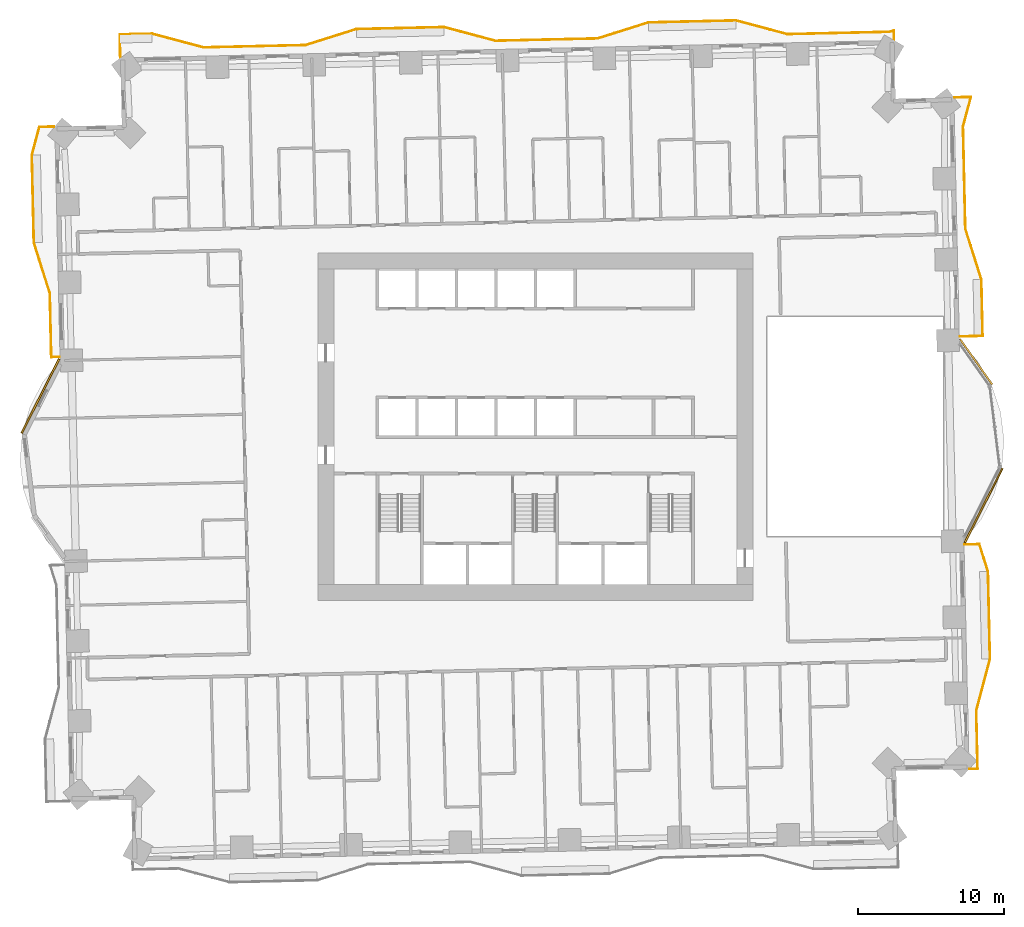
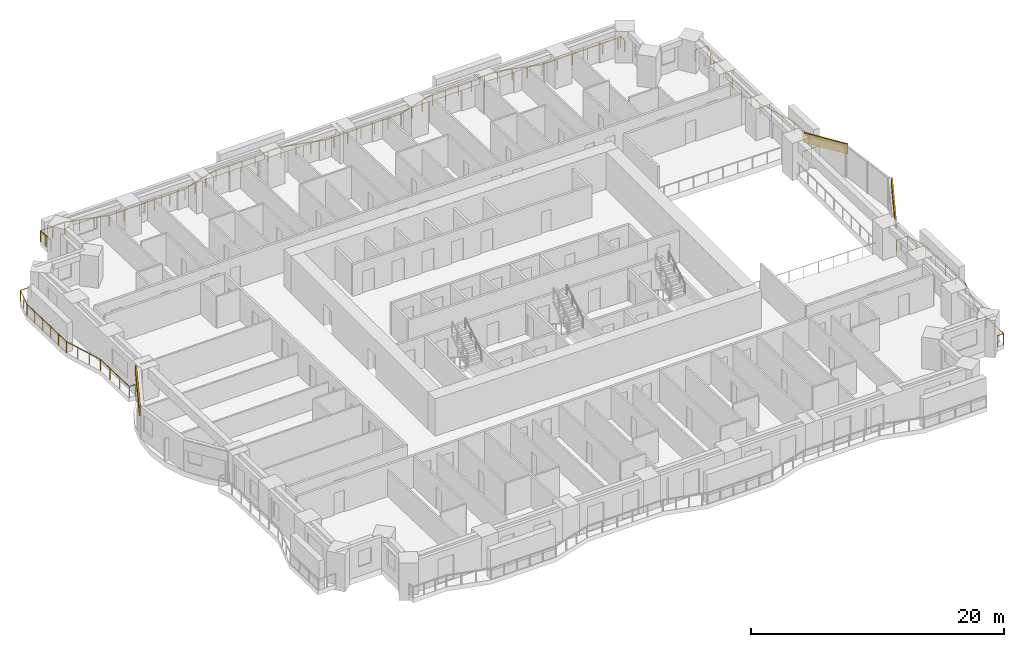
# One storey, part 16 of 16: 4 railings, 3 coverings.
"""IFC4 building model written with IfcOpenShell, lengths in metres."""

from ifc_helpers import new_model, si_unit, direction, frame, frame_2d, origin, origin_2d, place, context, subcontext, project, spatial, rectangle, extrude, material, layer, layer_set, type_object, element, save


model = new_model("IFC4")

# Units and contexts
model_context = context("Model", 3, precision=1e-05, world=origin(), true_north=direction((0.0, 1.0)))
body_context = subcontext(model_context, "Body", "Model", "MODEL_VIEW")
ifc_project = project(units=[si_unit("LENGTHUNIT", "METRE"), si_unit("AREAUNIT", "SQUARE_METRE"), si_unit("VOLUMEUNIT", "CUBIC_METRE"), si_unit("PLANEANGLEUNIT", "RADIAN"), si_unit("MASSUNIT", "GRAM", prefix="KILO")], contexts=[model_context])

# Site, building, storey
site_placement = place(None, origin())
site = spatial("IfcSite", under=ifc_project, at=site_placement, CompositionType="ELEMENT")
building_placement = place(site_placement, origin())
building = spatial("IfcBuilding", under=site, at=building_placement, Name="Mangrove Gate Tower", CompositionType="ELEMENT")
storey_placement = place(building_placement, frame((0.0, 0.0, 34.10009765625)))
storey = spatial("IfcBuildingStorey", under=building, at=storey_placement, Name="L07", CompositionType="ELEMENT", Elevation=34.10009765625)

# Railings
ifc_material_1 = material(Name="Stainless steel grade 316 with laminated glass infill", Category="steel")
railing_type = type_object("IfcRailingType", Name="Balcony guard 1100", PredefinedType="GUARDRAIL", material=ifc_material_1)
railing_1_placement = place(storey_placement, frame((29.742919921875, -23.444091796875, 0.0)))
element("IfcRailing", 1, at=railing_1_placement, inside=storey, type_object=railing_type, Name="GUARD L07 E1", PredefinedType="GUARDRAIL", context=body_context, shape_type="SweptSolid", body=[
    extrude(rectangle(XDim=0.048095703125, YDim=0.048095703125, at=origin_2d()), frame((0.0, 0.0, 1.076171875), z_axis=(0.999750301831, 0.022345782339, 0.0), x_axis=(-0.022345782339, 0.999750301831, 0.0)), (0.0, 0.0, 1.0), 0.54638671875),
    extrude(rectangle(XDim=0.048095703125, YDim=0.048095703125, at=origin_2d()), frame((0.546142578125, 0.01220703125, 1.076171875), z_axis=(-0.022523132843, 0.999746322067, 0.0), x_axis=(-0.999746322067, -0.022523132843, 0.0)), (0.0, 0.0, 1.0), 3.999755859375),
    extrude(rectangle(XDim=0.048095703125, YDim=0.048095703125, at=origin_2d()), frame((0.4560546875, 4.010986328125, 1.076171875), z_axis=(0.257087259162, 0.966388193831, 0.0), x_axis=(-0.966388193831, 0.257087259162, 0.0)), (0.0, 0.0, 1.0), 3.644775390625),
    extrude(rectangle(XDim=0.048095703125, YDim=0.048095703125, at=origin_2d()), frame((1.39306640625, 7.533203125, 1.076171875), z_axis=(-0.022666865795, 0.999743073592, 0.0), x_axis=(-0.999743073592, -0.022666865795, 0.0)), (0.0, 0.0, 1.0), 5.999267578125),
    extrude(rectangle(XDim=0.048095703125, YDim=0.048095703125, at=origin_2d()), frame((1.257080078125, 13.531005859375, 1.076171875), z_axis=(-0.300616640748, 0.953745057814, 0.0), x_axis=(-0.953745057814, -0.300616640748, 0.0)), (0.0, 0.0, 1.0), 1.952392578125),
    extrude(rectangle(XDim=0.048095703125, YDim=0.048095703125, at=origin_2d()), frame((0.670166015625, 15.39306640625, 1.076171875), z_axis=(-0.999746513015, -0.02251465554, 0.0), x_axis=(0.02251465554, -0.999746513015, 0.0)), (0.0, 0.0, 1.0), 1.019287109375),
    extrude(rectangle(XDim=0.0419921875, YDim=0.0419921875, at=origin_2d()), origin(), (0.0, 0.0, 1.0), 1.052001953125),
    extrude(rectangle(XDim=0.0419921875, YDim=0.0419921875, at=origin_2d()), frame((0.546142578125, 0.01220703125, 0.0)), (0.0, 0.0, 1.0), 1.052001953125),
    extrude(rectangle(XDim=0.0419921875, YDim=0.0419921875, at=origin_2d()), frame((0.51611328125, 1.34521484375, 0.0)), (0.0, 0.0, 1.0), 1.052001953125),
    extrude(rectangle(XDim=0.0419921875, YDim=0.0419921875, at=origin_2d()), frame((0.486083984375, 2.677978515625, 0.0)), (0.0, 0.0, 1.0), 1.052001953125),
    extrude(rectangle(XDim=0.0419921875, YDim=0.0419921875, at=origin_2d()), frame((0.4560546875, 4.010986328125, 0.0)), (0.0, 0.0, 1.0), 1.052001953125),
    extrude(rectangle(XDim=0.0419921875, YDim=0.0419921875, at=origin_2d()), frame((0.768310546875, 5.18505859375, 0.0)), (0.0, 0.0, 1.0), 1.052001953125),
    extrude(rectangle(XDim=0.0419921875, YDim=0.0419921875, at=origin_2d()), frame((1.080810546875, 6.359130859375, 0.0)), (0.0, 0.0, 1.0), 1.052001953125),
    extrude(rectangle(XDim=0.0419921875, YDim=0.0419921875, at=origin_2d()), frame((1.39306640625, 7.533203125, 0.0)), (0.0, 0.0, 1.0), 1.052001953125),
    extrude(rectangle(XDim=0.0419921875, YDim=0.0419921875, at=origin_2d()), frame((1.359130859375, 9.03271484375, 0.0)), (0.0, 0.0, 1.0), 1.052001953125),
    extrude(rectangle(XDim=0.0419921875, YDim=0.0419921875, at=origin_2d()), frame((1.3251953125, 10.5322265625, 0.0)), (0.0, 0.0, 1.0), 1.052001953125),
    extrude(rectangle(XDim=0.0419921875, YDim=0.0419921875, at=origin_2d()), frame((1.291015625, 12.031494140625, 0.0)), (0.0, 0.0, 1.0), 1.052001953125),
    extrude(rectangle(XDim=0.0419921875, YDim=0.0419921875, at=origin_2d()), frame((1.257080078125, 13.531005859375, 0.0)), (0.0, 0.0, 1.0), 1.052001953125),
    extrude(rectangle(XDim=0.0419921875, YDim=0.0419921875, at=origin_2d()), frame((0.963623046875, 14.4619140625, 0.0)), (0.0, 0.0, 1.0), 1.052001953125),
    extrude(rectangle(XDim=0.0419921875, YDim=0.0419921875, at=origin_2d()), frame((0.670166015625, 15.39306640625, 0.0)), (0.0, 0.0, 1.0), 1.052001953125),
    extrude(rectangle(XDim=0.0419921875, YDim=0.0419921875, at=origin_2d()), frame((-0.348876953125, 15.3701171875, 0.0)), (0.0, 0.0, 1.0), 1.052001953125),
])
railing_2_placement = place(storey_placement, frame((29.070068359375, 6.173095703125, 0.0)))
element("IfcRailing", 2, at=railing_2_placement, inside=storey, type_object=railing_type, Name="GUARD L07 E2", PredefinedType="GUARDRAIL", context=body_context, shape_type="SweptSolid", body=[
    extrude(rectangle(XDim=0.048095703125, YDim=0.048095703125, at=origin_2d()), frame((0.0, 0.0, 1.076171875), z_axis=(0.999736816093, 0.022941197622, 0.0), x_axis=(-0.022941197622, 0.999736816093, 0.0)), (0.0, 0.0, 1.0), 1.564453125),
    extrude(rectangle(XDim=0.048095703125, YDim=0.048095703125, at=origin_2d()), frame((1.56396484375, 0.035888671875, 1.076171875), z_axis=(-0.022435098042, 0.999748301512, 0.0), x_axis=(-0.999748301512, -0.022435098042, 0.0)), (0.0, 0.0, 1.0), 3.8740234375),
    extrude(rectangle(XDim=0.048095703125, YDim=0.048095703125, at=origin_2d()), frame((1.47705078125, 3.908935546875, 1.076171875), z_axis=(-0.300996735167, 0.953625170294, 0.0), x_axis=(-0.953625170294, -0.300996735167, 0.0)), (0.0, 0.0, 1.0), 3.64501953125),
    extrude(rectangle(XDim=0.048095703125, YDim=0.048095703125, at=origin_2d()), frame((0.3798828125, 7.385009765625, 1.076171875), z_axis=(-0.022706351659, 0.999742177561, 0.0), x_axis=(-0.999742177561, -0.022706351659, 0.0)), (0.0, 0.0, 1.0), 6.99951171875),
    extrude(rectangle(XDim=0.048095703125, YDim=0.048095703125, at=origin_2d()), frame((0.220947265625, 14.3828125, 1.076171875), z_axis=(0.2572322796, 0.966349602541, 0.0), x_axis=(-0.966349602541, 0.2572322796, 0.0)), (0.0, 0.0, 1.0), 2.083251953125),
    extrude(rectangle(XDim=0.048095703125, YDim=0.048095703125, at=origin_2d()), frame((0.7568359375, 16.39599609375, 1.076171875), z_axis=(-0.999751573087, -0.022288833772, 0.0), x_axis=(0.022288833772, -0.999751573087, 0.0)), (0.0, 0.0, 1.0), 1.128173828125),
    extrude(rectangle(XDim=0.0419921875, YDim=0.0419921875, at=origin_2d()), origin(), (0.0, 0.0, 1.0), 1.052001953125),
    extrude(rectangle(XDim=0.0419921875, YDim=0.0419921875, at=origin_2d()), frame((0.781982421875, 0.01806640625, 0.0)), (0.0, 0.0, 1.0), 1.052001953125),
    extrude(rectangle(XDim=0.0419921875, YDim=0.0419921875, at=origin_2d()), frame((1.56396484375, 0.035888671875, 0.0)), (0.0, 0.0, 1.0), 1.052001953125),
    extrude(rectangle(XDim=0.0419921875, YDim=0.0419921875, at=origin_2d()), frame((1.534912109375, 1.326904296875, 0.0)), (0.0, 0.0, 1.0), 1.052001953125),
    extrude(rectangle(XDim=0.0419921875, YDim=0.0419921875, at=origin_2d()), frame((1.506103515625, 2.617919921875, 0.0)), (0.0, 0.0, 1.0), 1.052001953125),
    extrude(rectangle(XDim=0.0419921875, YDim=0.0419921875, at=origin_2d()), frame((1.47705078125, 3.908935546875, 0.0)), (0.0, 0.0, 1.0), 1.052001953125),
    extrude(rectangle(XDim=0.0419921875, YDim=0.0419921875, at=origin_2d()), frame((1.111328125, 5.067626953125, 0.0)), (0.0, 0.0, 1.0), 1.052001953125),
    extrude(rectangle(XDim=0.0419921875, YDim=0.0419921875, at=origin_2d()), frame((0.74560546875, 6.226318359375, 0.0)), (0.0, 0.0, 1.0), 1.052001953125),
    extrude(rectangle(XDim=0.0419921875, YDim=0.0419921875, at=origin_2d()), frame((0.3798828125, 7.385009765625, 0.0)), (0.0, 0.0, 1.0), 1.052001953125),
    extrude(rectangle(XDim=0.0419921875, YDim=0.0419921875, at=origin_2d()), frame((0.34814453125, 8.78466796875, 0.0)), (0.0, 0.0, 1.0), 1.052001953125),
    extrude(rectangle(XDim=0.0419921875, YDim=0.0419921875, at=origin_2d()), frame((0.31640625, 10.18408203125, 0.0)), (0.0, 0.0, 1.0), 1.052001953125),
    extrude(rectangle(XDim=0.0419921875, YDim=0.0419921875, at=origin_2d()), frame((0.284423828125, 11.583740234375, 0.0)), (0.0, 0.0, 1.0), 1.052001953125),
    extrude(rectangle(XDim=0.0419921875, YDim=0.0419921875, at=origin_2d()), frame((0.252685546875, 12.983154296875, 0.0)), (0.0, 0.0, 1.0), 1.052001953125),
    extrude(rectangle(XDim=0.0419921875, YDim=0.0419921875, at=origin_2d()), frame((0.220947265625, 14.3828125, 0.0)), (0.0, 0.0, 1.0), 1.052001953125),
    extrude(rectangle(XDim=0.0419921875, YDim=0.0419921875, at=origin_2d()), frame((0.48876953125, 15.389404296875, 0.0)), (0.0, 0.0, 1.0), 1.052001953125),
    extrude(rectangle(XDim=0.0419921875, YDim=0.0419921875, at=origin_2d()), frame((0.7568359375, 16.39599609375, 0.0)), (0.0, 0.0, 1.0), 1.052001953125),
    extrude(rectangle(XDim=0.0419921875, YDim=0.0419921875, at=origin_2d()), frame((-0.37109375, 16.370849609375, 0.0)), (0.0, 0.0, 1.0), 1.052001953125),
])
railing_3_placement = place(storey_placement, frame((24.568115234375, 26.490966796875, 0.0)))
element("IfcRailing", 3, at=railing_3_placement, inside=storey, type_object=railing_type, Name="GUARD L07 N1", PredefinedType="GUARDRAIL", context=body_context, shape_type="SweptSolid", body=[
    extrude(rectangle(XDim=0.048095703125, YDim=0.048095703125, at=origin_2d()), frame((0.0, 0.0, 1.076171875), z_axis=(-0.022327893988, 0.9997507015, 0.0), x_axis=(-0.9997507015, -0.022327893988, 0.0)), (0.0, 0.0, 1.0), 0.63427734375),
    extrude(rectangle(XDim=0.048095703125, YDim=0.048095703125, at=origin_2d()), frame((-0.01416015625, 0.634033203125, 1.076171875), z_axis=(-0.953641715318, -0.300944311801, 0.0), x_axis=(0.300944311801, -0.953641715318, 0.0)), (0.0, 0.0, 1.0), 0.312255859375),
    extrude(rectangle(XDim=0.048095703125, YDim=0.048095703125, at=origin_2d()), frame((-0.31201171875, 0.5400390625, 1.076171875), z_axis=(-0.999742195543, -0.022705559911, 0.0), x_axis=(0.022705559911, -0.999742195543, 0.0)), (0.0, 0.0, 1.0), 6.999755859375),
    extrude(rectangle(XDim=0.048095703125, YDim=0.048095703125, at=origin_2d()), frame((-7.31005859375, 0.381103515625, 1.076171875), z_axis=(-0.966317161661, 0.257354119999, 0.0), x_axis=(-0.257354119999, -0.966317161661, 0.0)), (0.0, 0.0, 1.0), 3.644775390625),
    extrude(rectangle(XDim=0.048095703125, YDim=0.048095703125, at=origin_2d()), frame((-10.83203125, 1.319091796875, 1.076171875), z_axis=(-0.999743178102, -0.022662255828, 0.0), x_axis=(0.022662255828, -0.999743178102, 0.0)), (0.0, 0.0, 1.0), 6.00048828125),
    extrude(rectangle(XDim=0.048095703125, YDim=0.048095703125, at=origin_2d()), frame((-16.8310546875, 1.18310546875, 1.076171875), z_axis=(-0.953625170294, -0.300996735167, 0.0), x_axis=(0.300996735167, -0.953625170294, 0.0)), (0.0, 0.0, 1.0), 3.64501953125),
    extrude(rectangle(XDim=0.048095703125, YDim=0.048095703125, at=origin_2d()), frame((-20.30712890625, 0.0859375, 1.076171875), z_axis=(-0.999745381129, -0.022564860101, 0.0), x_axis=(0.022564860101, -0.999745381129, 0.0)), (0.0, 0.0, 1.0), 6.199462890625),
    extrude(rectangle(XDim=0.048095703125, YDim=0.048095703125, at=origin_2d()), frame((-26.505126953125, -0.053955078125, 1.076171875), z_axis=(-0.999716846562, -0.023795518472, 0.0), x_axis=(0.023795518472, -0.999716846562, 0.0)), (0.0, 0.0, 1.0), 0.80029296875),
    extrude(rectangle(XDim=0.048095703125, YDim=0.048095703125, at=origin_2d()), frame((-27.30517578125, -0.072998046875, 1.076171875), z_axis=(-0.966317161661, 0.257354119999, 0.0), x_axis=(-0.257354119999, -0.966317161661, 0.0)), (0.0, 0.0, 1.0), 3.644775390625),
    extrude(rectangle(XDim=0.048095703125, YDim=0.048095703125, at=origin_2d()), frame((-30.8271484375, 0.864990234375, 1.076171875), z_axis=(-0.999743178102, -0.022662255828, 0.0), x_axis=(0.022662255828, -0.999743178102, 0.0)), (0.0, 0.0, 1.0), 6.00048828125),
    extrude(rectangle(XDim=0.048095703125, YDim=0.048095703125, at=origin_2d()), frame((-36.826171875, 0.72900390625, 1.076171875), z_axis=(-0.953638327477, -0.300955047085, 0.0), x_axis=(0.300955047085, -0.953638327477, 0.0)), (0.0, 0.0, 1.0), 3.644775390625),
    extrude(rectangle(XDim=0.048095703125, YDim=0.048095703125, at=origin_2d()), frame((-40.302001953125, -0.367919921875, 1.076171875), z_axis=(-0.999745352708, -0.022566119286, 0.0), x_axis=(0.022566119286, -0.999745352708, 0.0)), (0.0, 0.0, 1.0), 6.999755859375),
    extrude(rectangle(XDim=0.048095703125, YDim=0.048095703125, at=origin_2d()), frame((-47.300048828125, -0.52587890625, 1.076171875), z_axis=(-0.966317161661, 0.257354119999, 0.0), x_axis=(-0.257354119999, -0.966317161661, 0.0)), (0.0, 0.0, 1.0), 3.644775390625),
    extrude(rectangle(XDim=0.048095703125, YDim=0.048095703125, at=origin_2d()), frame((-50.822021484375, 0.412109375, 1.076171875), z_axis=(-0.999741090068, -0.022754182687, 0.0), x_axis=(0.022754182687, -0.999741090068, 0.0)), (0.0, 0.0, 1.0), 2.199462890625),
    extrude(rectangle(XDim=0.048095703125, YDim=0.048095703125, at=origin_2d()), frame((-53.02099609375, 0.362060546875, 1.076171875), z_axis=(0.022317262607, -0.999750938879, 0.0), x_axis=(0.999750938879, 0.022317262607, 0.0)), (0.0, 0.0, 1.0), 1.564453125),
    extrude(rectangle(XDim=0.0419921875, YDim=0.0419921875, at=origin_2d()), origin(), (0.0, 0.0, 1.0), 1.052001953125),
    extrude(rectangle(XDim=0.0419921875, YDim=0.0419921875, at=origin_2d()), frame((-0.01416015625, 0.634033203125, 0.0)), (0.0, 0.0, 1.0), 1.052001953125),
    extrude(rectangle(XDim=0.0419921875, YDim=0.0419921875, at=origin_2d()), frame((-0.31201171875, 0.5400390625, 0.0)), (0.0, 0.0, 1.0), 1.052001953125),
    extrude(rectangle(XDim=0.0419921875, YDim=0.0419921875, at=origin_2d()), frame((-1.711669921875, 0.50830078125, 0.0)), (0.0, 0.0, 1.0), 1.052001953125),
    extrude(rectangle(XDim=0.0419921875, YDim=0.0419921875, at=origin_2d()), frame((-3.111328125, 0.4765625, 0.0)), (0.0, 0.0, 1.0), 1.052001953125),
    extrude(rectangle(XDim=0.0419921875, YDim=0.0419921875, at=origin_2d()), frame((-4.5107421875, 0.444580078125, 0.0)), (0.0, 0.0, 1.0), 1.052001953125),
    extrude(rectangle(XDim=0.0419921875, YDim=0.0419921875, at=origin_2d()), frame((-5.910400390625, 0.412841796875, 0.0)), (0.0, 0.0, 1.0), 1.052001953125),
    extrude(rectangle(XDim=0.0419921875, YDim=0.0419921875, at=origin_2d()), frame((-7.31005859375, 0.381103515625, 0.0)), (0.0, 0.0, 1.0), 1.052001953125),
    extrude(rectangle(XDim=0.0419921875, YDim=0.0419921875, at=origin_2d()), frame((-8.484130859375, 0.69384765625, 0.0)), (0.0, 0.0, 1.0), 1.052001953125),
    extrude(rectangle(XDim=0.0419921875, YDim=0.0419921875, at=origin_2d()), frame((-9.657958984375, 1.00634765625, 0.0)), (0.0, 0.0, 1.0), 1.052001953125),
    extrude(rectangle(XDim=0.0419921875, YDim=0.0419921875, at=origin_2d()), frame((-10.83203125, 1.319091796875, 0.0)), (0.0, 0.0, 1.0), 1.052001953125),
    extrude(rectangle(XDim=0.0419921875, YDim=0.0419921875, at=origin_2d()), frame((-12.03173828125, 1.2919921875, 0.0)), (0.0, 0.0, 1.0), 1.052001953125),
    extrude(rectangle(XDim=0.0419921875, YDim=0.0419921875, at=origin_2d()), frame((-13.231689453125, 1.2646484375, 0.0)), (0.0, 0.0, 1.0), 1.052001953125),
    extrude(rectangle(XDim=0.0419921875, YDim=0.0419921875, at=origin_2d()), frame((-14.431396484375, 1.237548828125, 0.0)), (0.0, 0.0, 1.0), 1.052001953125),
    extrude(rectangle(XDim=0.0419921875, YDim=0.0419921875, at=origin_2d()), frame((-15.63134765625, 1.210205078125, 0.0)), (0.0, 0.0, 1.0), 1.052001953125),
    extrude(rectangle(XDim=0.0419921875, YDim=0.0419921875, at=origin_2d()), frame((-16.8310546875, 1.18310546875, 0.0)), (0.0, 0.0, 1.0), 1.052001953125),
    extrude(rectangle(XDim=0.0419921875, YDim=0.0419921875, at=origin_2d()), frame((-17.98974609375, 0.8173828125, 0.0)), (0.0, 0.0, 1.0), 1.052001953125),
    extrude(rectangle(XDim=0.0419921875, YDim=0.0419921875, at=origin_2d()), frame((-19.1484375, 0.45166015625, 0.0)), (0.0, 0.0, 1.0), 1.052001953125),
    extrude(rectangle(XDim=0.0419921875, YDim=0.0419921875, at=origin_2d()), frame((-20.30712890625, 0.0859375, 0.0)), (0.0, 0.0, 1.0), 1.052001953125),
    extrude(rectangle(XDim=0.0419921875, YDim=0.0419921875, at=origin_2d()), frame((-21.546630859375, 0.057861328125, 0.0)), (0.0, 0.0, 1.0), 1.052001953125),
    extrude(rectangle(XDim=0.0419921875, YDim=0.0419921875, at=origin_2d()), frame((-22.786376953125, 0.030029296875, 0.0)), (0.0, 0.0, 1.0), 1.052001953125),
    extrude(rectangle(XDim=0.0419921875, YDim=0.0419921875, at=origin_2d()), frame((-24.02587890625, 0.001953125, 0.0)), (0.0, 0.0, 1.0), 1.052001953125),
    extrude(rectangle(XDim=0.0419921875, YDim=0.0419921875, at=origin_2d()), frame((-25.265625, -0.02587890625, 0.0)), (0.0, 0.0, 1.0), 1.052001953125),
    extrude(rectangle(XDim=0.0419921875, YDim=0.0419921875, at=origin_2d()), frame((-26.505126953125, -0.053955078125, 0.0)), (0.0, 0.0, 1.0), 1.052001953125),
    extrude(rectangle(XDim=0.0419921875, YDim=0.0419921875, at=origin_2d()), frame((-27.30517578125, -0.072998046875, 0.0)), (0.0, 0.0, 1.0), 1.052001953125),
    extrude(rectangle(XDim=0.0419921875, YDim=0.0419921875, at=origin_2d()), frame((-28.479248046875, 0.23974609375, 0.0)), (0.0, 0.0, 1.0), 1.052001953125),
    extrude(rectangle(XDim=0.0419921875, YDim=0.0419921875, at=origin_2d()), frame((-29.653076171875, 0.55224609375, 0.0)), (0.0, 0.0, 1.0), 1.052001953125),
    extrude(rectangle(XDim=0.0419921875, YDim=0.0419921875, at=origin_2d()), frame((-30.8271484375, 0.864990234375, 0.0)), (0.0, 0.0, 1.0), 1.052001953125),
    extrude(rectangle(XDim=0.0419921875, YDim=0.0419921875, at=origin_2d()), frame((-32.02685546875, 0.837890625, 0.0)), (0.0, 0.0, 1.0), 1.052001953125),
    extrude(rectangle(XDim=0.0419921875, YDim=0.0419921875, at=origin_2d()), frame((-33.226806640625, 0.810546875, 0.0)), (0.0, 0.0, 1.0), 1.052001953125),
    extrude(rectangle(XDim=0.0419921875, YDim=0.0419921875, at=origin_2d()), frame((-34.426513671875, 0.783447265625, 0.0)), (0.0, 0.0, 1.0), 1.052001953125),
    extrude(rectangle(XDim=0.0419921875, YDim=0.0419921875, at=origin_2d()), frame((-35.62646484375, 0.756103515625, 0.0)), (0.0, 0.0, 1.0), 1.052001953125),
    extrude(rectangle(XDim=0.0419921875, YDim=0.0419921875, at=origin_2d()), frame((-36.826171875, 0.72900390625, 0.0)), (0.0, 0.0, 1.0), 1.052001953125),
    extrude(rectangle(XDim=0.0419921875, YDim=0.0419921875, at=origin_2d()), frame((-37.98486328125, 0.36328125, 0.0)), (0.0, 0.0, 1.0), 1.052001953125),
    extrude(rectangle(XDim=0.0419921875, YDim=0.0419921875, at=origin_2d()), frame((-39.143310546875, -0.002197265625, 0.0)), (0.0, 0.0, 1.0), 1.052001953125),
    extrude(rectangle(XDim=0.0419921875, YDim=0.0419921875, at=origin_2d()), frame((-40.302001953125, -0.367919921875, 0.0)), (0.0, 0.0, 1.0), 1.052001953125),
    extrude(rectangle(XDim=0.0419921875, YDim=0.0419921875, at=origin_2d()), frame((-41.70166015625, -0.3994140625, 0.0)), (0.0, 0.0, 1.0), 1.052001953125),
    extrude(rectangle(XDim=0.0419921875, YDim=0.0419921875, at=origin_2d()), frame((-43.101318359375, -0.43115234375, 0.0)), (0.0, 0.0, 1.0), 1.052001953125),
    extrude(rectangle(XDim=0.0419921875, YDim=0.0419921875, at=origin_2d()), frame((-44.500732421875, -0.462646484375, 0.0)), (0.0, 0.0, 1.0), 1.052001953125),
    extrude(rectangle(XDim=0.0419921875, YDim=0.0419921875, at=origin_2d()), frame((-45.900390625, -0.494384765625, 0.0)), (0.0, 0.0, 1.0), 1.052001953125),
    extrude(rectangle(XDim=0.0419921875, YDim=0.0419921875, at=origin_2d()), frame((-47.300048828125, -0.52587890625, 0.0)), (0.0, 0.0, 1.0), 1.052001953125),
    extrude(rectangle(XDim=0.0419921875, YDim=0.0419921875, at=origin_2d()), frame((-48.47412109375, -0.213134765625, 0.0)), (0.0, 0.0, 1.0), 1.052001953125),
    extrude(rectangle(XDim=0.0419921875, YDim=0.0419921875, at=origin_2d()), frame((-49.64794921875, 0.099365234375, 0.0)), (0.0, 0.0, 1.0), 1.052001953125),
    extrude(rectangle(XDim=0.0419921875, YDim=0.0419921875, at=origin_2d()), frame((-50.822021484375, 0.412109375, 0.0)), (0.0, 0.0, 1.0), 1.052001953125),
    extrude(rectangle(XDim=0.0419921875, YDim=0.0419921875, at=origin_2d()), frame((-51.92138671875, 0.38720703125, 0.0)), (0.0, 0.0, 1.0), 1.052001953125),
    extrude(rectangle(XDim=0.0419921875, YDim=0.0419921875, at=origin_2d()), frame((-53.02099609375, 0.362060546875, 0.0)), (0.0, 0.0, 1.0), 1.052001953125),
    extrude(rectangle(XDim=0.0419921875, YDim=0.0419921875, at=origin_2d()), frame((-53.00341796875, -0.419921875, 0.0)), (0.0, 0.0, 1.0), 1.052001953125),
    extrude(rectangle(XDim=0.0419921875, YDim=0.0419921875, at=origin_2d()), frame((-52.986083984375, -1.201904296875, 0.0)), (0.0, 0.0, 1.0), 1.052001953125),
])
railing_4_placement = place(storey_placement, frame((-32.951904296875, 20.5439453125, 0.0)))
element("IfcRailing", 4, at=railing_4_placement, inside=storey, type_object=railing_type, Name="GUARD L07 W1", PredefinedType="GUARDRAIL", context=body_context, shape_type="SweptSolid", body=[
    extrude(rectangle(XDim=0.048095703125, YDim=0.048095703125, at=origin_2d()), frame((0.0, 0.0, 1.076171875), z_axis=(-0.999763902854, -0.021728749398, 0.0), x_axis=(0.021728749398, -0.999763902854, 0.0)), (0.0, 0.0, 1.0), 1.01123046875),
    extrude(rectangle(XDim=0.048095703125, YDim=0.048095703125, at=origin_2d()), frame((-1.010986328125, -0.02197265625, 1.076171875), z_axis=(-0.257747123426, -0.966212409549, 0.0), x_axis=(0.966212409549, -0.257747123426, 0.0)), (0.0, 0.0, 1.0), 1.978759765625),
    extrude(rectangle(XDim=0.048095703125, YDim=0.048095703125, at=origin_2d()), frame((-1.52099609375, -1.933837890625, 1.076171875), z_axis=(0.022824916448, -0.999739477659, 0.0), x_axis=(0.999739477659, 0.022824916448, 0.0)), (0.0, 0.0, 1.0), 6.00048828125),
    extrude(rectangle(XDim=0.048095703125, YDim=0.048095703125, at=origin_2d()), frame((-1.384033203125, -7.932861328125, 1.076171875), z_axis=(0.300692142264, -0.953721256752, 0.0), x_axis=(0.953721256752, 0.300692142264, 0.0)), (0.0, 0.0, 1.0), 3.644775390625),
    extrude(rectangle(XDim=0.048095703125, YDim=0.048095703125, at=origin_2d()), frame((-0.2880859375, -11.408935546875, 1.076171875), z_axis=(0.022599718713, -0.999744593741, 0.0), x_axis=(0.999744593741, 0.022599718713, 0.0)), (0.0, 0.0, 1.0), 4.375244140625),
    extrude(rectangle(XDim=0.048095703125, YDim=0.048095703125, at=origin_2d()), frame((-0.189208984375, -15.782958984375, 1.076171875), z_axis=(0.99972045232, 0.023643544834, 0.0), x_axis=(-0.023643544834, 0.99972045232, 0.0)), (0.0, 0.0, 1.0), 0.54736328125),
    extrude(rectangle(XDim=0.0419921875, YDim=0.0419921875, at=origin_2d()), origin(), (0.0, 0.0, 1.0), 1.052001953125),
    extrude(rectangle(XDim=0.0419921875, YDim=0.0419921875, at=origin_2d()), frame((-1.010986328125, -0.02197265625, 0.0)), (0.0, 0.0, 1.0), 1.052001953125),
    extrude(rectangle(XDim=0.0419921875, YDim=0.0419921875, at=origin_2d()), frame((-1.26611328125, -0.97802734375, 0.0)), (0.0, 0.0, 1.0), 1.052001953125),
    extrude(rectangle(XDim=0.0419921875, YDim=0.0419921875, at=origin_2d()), frame((-1.52099609375, -1.933837890625, 0.0)), (0.0, 0.0, 1.0), 1.052001953125),
    extrude(rectangle(XDim=0.0419921875, YDim=0.0419921875, at=origin_2d()), frame((-1.49365234375, -3.133544921875, 0.0)), (0.0, 0.0, 1.0), 1.052001953125),
    extrude(rectangle(XDim=0.0419921875, YDim=0.0419921875, at=origin_2d()), frame((-1.46630859375, -4.33349609375, 0.0)), (0.0, 0.0, 1.0), 1.052001953125),
    extrude(rectangle(XDim=0.0419921875, YDim=0.0419921875, at=origin_2d()), frame((-1.438720703125, -5.533203125, 0.0)), (0.0, 0.0, 1.0), 1.052001953125),
    extrude(rectangle(XDim=0.0419921875, YDim=0.0419921875, at=origin_2d()), frame((-1.411376953125, -6.733154296875, 0.0)), (0.0, 0.0, 1.0), 1.052001953125),
    extrude(rectangle(XDim=0.0419921875, YDim=0.0419921875, at=origin_2d()), frame((-1.384033203125, -7.932861328125, 0.0)), (0.0, 0.0, 1.0), 1.052001953125),
    extrude(rectangle(XDim=0.0419921875, YDim=0.0419921875, at=origin_2d()), frame((-1.018798828125, -9.091552734375, 0.0)), (0.0, 0.0, 1.0), 1.052001953125),
    extrude(rectangle(XDim=0.0419921875, YDim=0.0419921875, at=origin_2d()), frame((-0.6533203125, -10.250244140625, 0.0)), (0.0, 0.0, 1.0), 1.052001953125),
    extrude(rectangle(XDim=0.0419921875, YDim=0.0419921875, at=origin_2d()), frame((-0.2880859375, -11.408935546875, 0.0)), (0.0, 0.0, 1.0), 1.052001953125),
    extrude(rectangle(XDim=0.0419921875, YDim=0.0419921875, at=origin_2d()), frame((-0.255126953125, -12.866943359375, 0.0)), (0.0, 0.0, 1.0), 1.052001953125),
    extrude(rectangle(XDim=0.0419921875, YDim=0.0419921875, at=origin_2d()), frame((-0.22216796875, -14.324951171875, 0.0)), (0.0, 0.0, 1.0), 1.052001953125),
    extrude(rectangle(XDim=0.0419921875, YDim=0.0419921875, at=origin_2d()), frame((-0.189208984375, -15.782958984375, 0.0)), (0.0, 0.0, 1.0), 1.052001953125),
    extrude(rectangle(XDim=0.0419921875, YDim=0.0419921875, at=origin_2d()), frame((0.35791015625, -15.77001953125, 0.0)), (0.0, 0.0, 1.0), 1.052001953125),
])

# Coverings
ifc_material_2 = material(Name="Limestone", Category="masonry")
ifc_layer_1 = layer(ifc_material_2, 0.0400390625, Name="Limestone cladding")
ifc_material_3 = material(Name="Stainless steel anchors and cavity", Category="steel")
ifc_layer_2 = layer(ifc_material_3, 0.080078125, Name="Fixing cavity")
ifc_layer_set = layer_set([ifc_layer_1, ifc_layer_2], Name="Joint fascia cladding 120")
covering_type = type_object("IfcCoveringType", Name="Joint fascia cladding 120", PredefinedType="CLADDING", material=ifc_layer_set)
covering_1_placement = place(storey_placement, frame((29.401123046875, -7.947509765625, 2.099853515625), z_axis=(0.0, 0.0, 1.0), x_axis=(0.452615399326, 0.89170583731, 0.0)))
element("IfcCovering", 5, at=covering_1_placement, inside=storey, type_object=covering_type, Name="STONE FASCIA L07 E1.L1", PredefinedType="CLADDING", context=body_context, shape_type="SweptSolid", body=[
    extrude(rectangle(XDim=5.7041015625, YDim=0.1201171875, at=frame_2d((2.85205078125, 0.0))), origin(), (0.0, 0.0, 1.0), 0.949951171875),
])
covering_2_placement = place(storey_placement, frame((31.285888671875, 2.886962890625, 2.099853515625), z_axis=(0.0, 0.0, 1.0), x_axis=(-0.578168098379, 0.815917673553, 0.0)))
element("IfcCovering", 6, at=covering_2_placement, inside=storey, type_object=covering_type, Name="STONE FASCIA L07 E1.L2", PredefinedType="CLADDING", context=body_context, shape_type="SweptSolid", body=[
    extrude(rectangle(XDim=3.819091796875, YDim=0.1201171875, at=frame_2d((1.90966796875, 0.0))), origin(), (0.0, 0.0, 1.0), 0.949951171875),
])
covering_3_placement = place(storey_placement, frame((-32.601318359375, 4.6474609375, 2.099853515625), z_axis=(0.0, 0.0, 1.0), x_axis=(-0.452615399326, -0.89170583731, 0.0)))
element("IfcCovering", 7, at=covering_3_placement, inside=storey, type_object=covering_type, Name="STONE FASCIA L07 W9.L1", PredefinedType="CLADDING", context=body_context, shape_type="SweptSolid", body=[
    extrude(rectangle(XDim=5.7041015625, YDim=0.1201171875, at=frame_2d((2.85205078125, 0.0))), origin(), (0.0, 0.0, 1.0), 0.949951171875),
])

save(model, "model.ifc")
